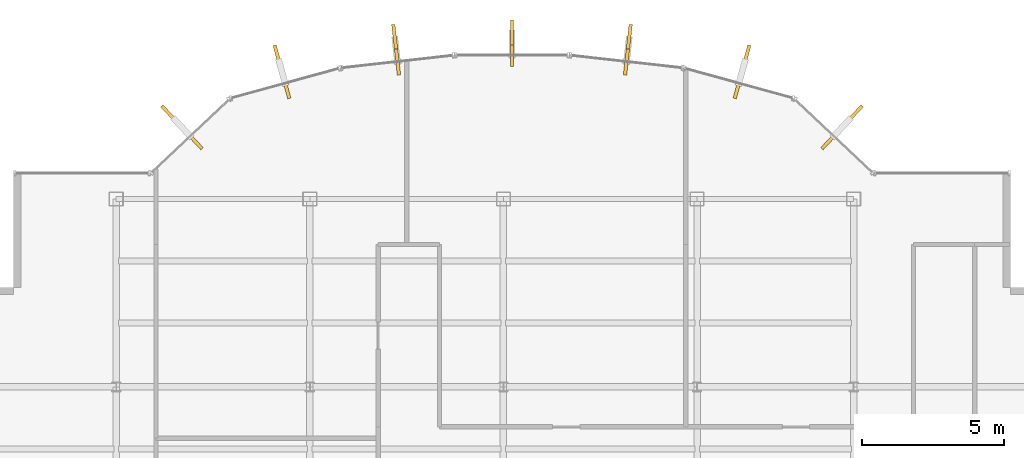
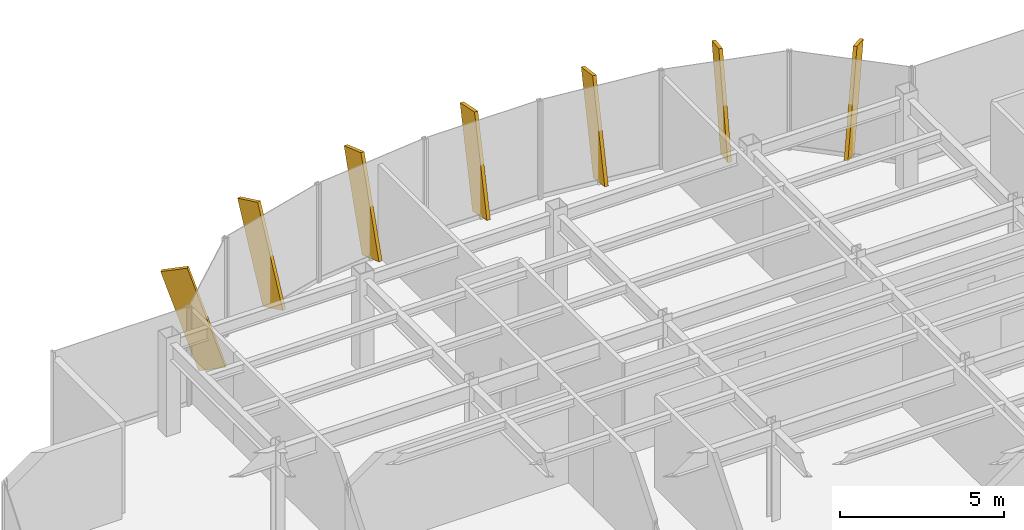
# One storey, part 21 of 22: 7 shading devices.
"""IFC4 building model written with IfcOpenShell, lengths in metres."""

from ifc_helpers import new_model, si_unit, derived_unit, direction, frame, origin, origin_2d, place, context, subcontext, project, spatial, rectangle, extrude, source, transform, mapped, material, type_object, element, save


model = new_model("IFC4")

# Units and contexts
model_context = context("Model", 3, precision=1e-05, world=origin(), true_north=direction((0.0, 1.0)))
body_context = subcontext(model_context, "Body", "Model", "MODEL_VIEW")
ifc_project = project(units=[si_unit("LENGTHUNIT", "METRE"), si_unit("AREAUNIT", "SQUARE_METRE"), si_unit("VOLUMEUNIT", "CUBIC_METRE"), si_unit("PLANEANGLEUNIT", "RADIAN"), si_unit("MASSUNIT", "GRAM", prefix="KILO"), derived_unit("THERMALTRANSMITTANCEUNIT", [(si_unit("POWERUNIT", "WATT"), 1), (si_unit("LENGTHUNIT", "METRE"), -2), (si_unit("THERMODYNAMICTEMPERATUREUNIT", "KELVIN"), -1)])], contexts=[model_context])

# Site, building, storey
site_placement = place(None, origin())
site = spatial("IfcSite", under=ifc_project, at=site_placement, CompositionType="ELEMENT")
building_placement = place(site_placement, origin())
building = spatial("IfcBuilding", under=site, at=building_placement, Name="Skarnbrae Concourse Arena and Tower", CompositionType="ELEMENT")
storey_placement = place(building_placement, frame((0.0, 0.0, 280.699951171875)))
storey = spatial("IfcBuildingStorey", under=building, at=storey_placement, Name="L73", CompositionType="ELEMENT", Elevation=280.699951171875)

# Shading devices
ifc_material = material(Name="Bronze anodised aluminium 6063-T6", Category="aluminium")
shading_device_type = type_object("IfcShadingDeviceType", Name="SHD-BRONZE-FIN-900", PredefinedType="USERDEFINED", material=ifc_material)
shared_shape = source(origin(), body_context, "Body", "SweptSolid", [
    extrude(rectangle(XDim=0.1201171875, YDim=0.89990234375, at=origin_2d()), origin(), (0.0, 0.0, 1.0), 3.64990234375),
])
for number, where, z_axis, x_axis, name in (
    (1, (32.677978515625, 36.478759765625, 0.103271484375), (0.227224184045, 0.241377537722, 0.943454320287), (0.728131751529, -0.685437198009, 0.0), "L73 Outward-leaning bronze shading fin 08"),
    (2, (29.43603515625, 38.3466796875, 0.08154296875), (0.07852258794, 0.284919065414, 0.955329958363), (0.964058316208, -0.265690728011, 0.0), "L73 Outward-leaning bronze shading fin 09"),
    (3, (25.51708984375, 39.181640625, 0.05908203125), (0.028131176169, 0.250834606441, 0.967621122723), (0.993769864509, -0.111451587667, 0.0), "L73 Outward-leaning bronze shading fin 10"),
    (4, (21.5, 39.4873046875, 0.039794921875), (0.0, 0.207911690818, 0.978147600734), (1.0, 0.0, 0.0), "L73 Outward-leaning bronze shading fin 11"),
    (5, (17.48291015625, 39.181640625, 0.05908203125), (-0.028131176169, 0.250834606441, 0.967621122723), (0.993769864509, 0.111451587667, 0.0), "L73 Outward-leaning bronze shading fin 12"),
    (6, (13.56396484375, 38.3466796875, 0.08154296875), (-0.07852258794, 0.284919065414, 0.955329958363), (0.964058316208, 0.265690728011, 0.0), "L73 Outward-leaning bronze shading fin 13"),
    (7, (10.322021484375, 36.478759765625, 0.103271484375), (-0.227224184045, 0.241377537722, 0.943454320287), (0.728131751529, 0.685437198009, 0.0), "L73 Outward-leaning bronze shading fin 14"),
):
    element("IfcShadingDevice", number, at=place(storey_placement, frame(where, z_axis=z_axis, x_axis=x_axis)), inside=storey, type_object=shading_device_type, Name=name, ObjectType="FIN", PredefinedType="USERDEFINED", context=body_context, shape_type="MappedRepresentation", body=[
        mapped(shared_shape, transform((0.0, 0.0, 0.0))),
    ])

save(model, "model.ifc")
